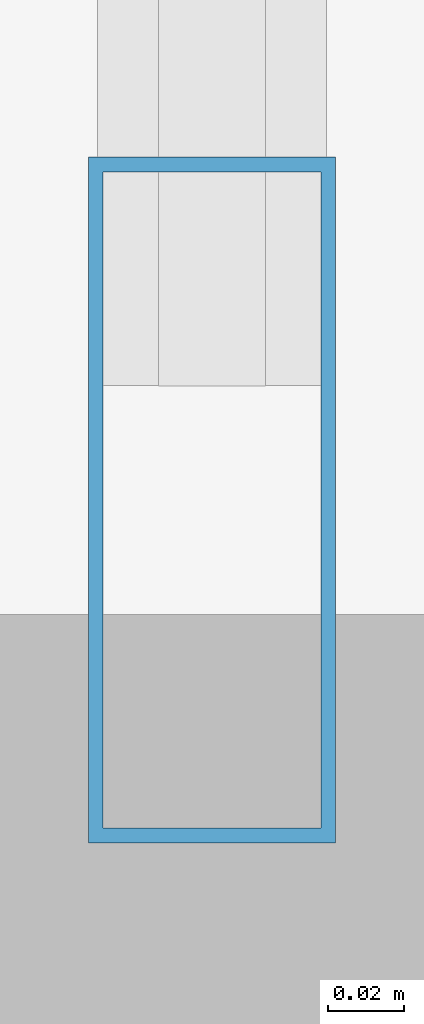
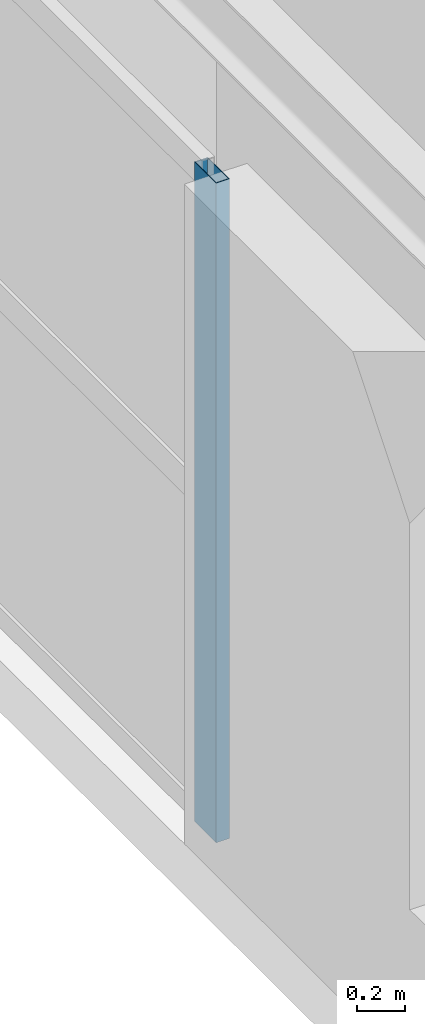
# One storey, part 4 of 20: 1 member, 1 element without a shape of its own.
"""IFC4 building model written with IfcOpenShell, lengths in metres."""

from ifc_helpers import new_model, si_unit, direction, frame, origin, origin_2d, place, context, subcontext, project, spatial, hollow_rectangle, extrude, source, transform, mapped, material, layer, layer_set, material_profile, profile_set, type_object, element, aggregate, save


model = new_model("IFC4")

# Units and contexts
model_context = context("Model", 3, precision=1e-05, world=origin(), true_north=direction((0.0, 1.0)))
body_context = subcontext(model_context, "Body", "Model", "MODEL_VIEW")
ifc_project = project(units=[si_unit("LENGTHUNIT", "METRE"), si_unit("AREAUNIT", "SQUARE_METRE"), si_unit("VOLUMEUNIT", "CUBIC_METRE"), si_unit("PLANEANGLEUNIT", "RADIAN"), si_unit("MASSUNIT", "GRAM", prefix="KILO")], contexts=[model_context])

# Site, building, storey
site_placement = place(None, origin())
site = spatial("IfcSite", under=ifc_project, at=site_placement, CompositionType="ELEMENT")
building_placement = place(site_placement, origin())
building = spatial("IfcBuilding", under=site, at=building_placement, Name="Khoralis Quay Care Tower", CompositionType="ELEMENT")
storey_placement = place(building_placement, frame((0.0, 0.0, 198.89990234375)))
storey = spatial("IfcBuildingStorey", under=building, at=storey_placement, Name="L52", CompositionType="ELEMENT", Elevation=198.89990234375)

# Curtain wall, member
ifc_material = material(Name="Pale anodised aluminium", Category="aluminium")
ifc_layer = layer(ifc_material, 0.159912109375)
ifc_layer_set = layer_set([ifc_layer], Name="Pale anodised aluminium")
curtain_wall_type = type_object("IfcCurtainWallType", Name="CW-SYS-Z3", PredefinedType="NOTDEFINED", material=ifc_layer_set)
curtain_wall_placement = place(storey_placement, origin())
curtain_wall = element("IfcCurtainWall", 1, at=curtain_wall_placement, inside=storey, type_object=curtain_wall_type, Name="L52 Unitised Curtain Wall CW-L52-P1-E7", PredefinedType="NOTDEFINED")
ifc_material_profile = material_profile(ifc_material, hollow_rectangle(XDim=0.06494140625, YDim=0.179931640625, WallThickness=0.00390625, at=origin_2d()), Name="Pale anodised aluminium")
ifc_profile_set = profile_set([ifc_material_profile], Name="Pale anodised aluminium")
member_type = type_object("IfcMemberType", Name="CW-MUL-180", PredefinedType="MULLION", material=ifc_profile_set)
shared_shape = source(origin(), body_context, "Body", "SweptSolid", [
    extrude(hollow_rectangle(XDim=0.06494140625, YDim=0.179931640625, WallThickness=0.00390625, at=origin_2d()), origin(), (0.0, 0.0, 1.0), 3.340087890625),
])
member_placement = place(storey_placement, frame((3.14990234375, 15.510009765625, 0.0), z_axis=(0.0, 0.0, 1.0), x_axis=(1.0, 0.0, 0.0)))
member = element("IfcMember", 2, at=member_placement, type_object=member_type, Name="CW3 mullion 3", PredefinedType="MULLION", context=body_context, shape_type="MappedRepresentation", body=[
    mapped(shared_shape, transform((0.0, 0.0, 0.0), scale=1.0)),
])
aggregate(curtain_wall, [member])

save(model, "model.ifc")
